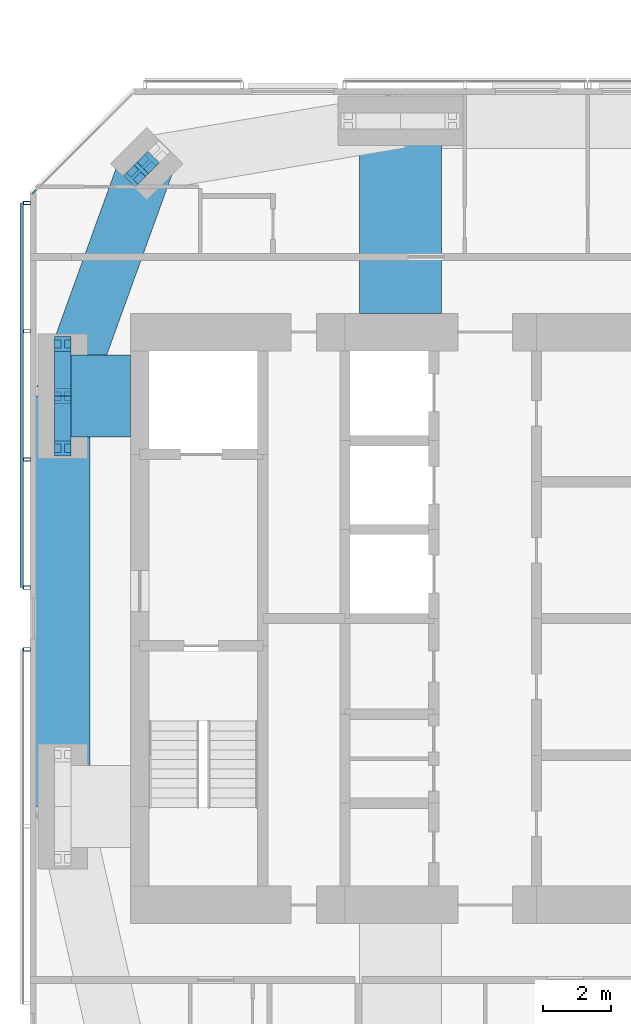
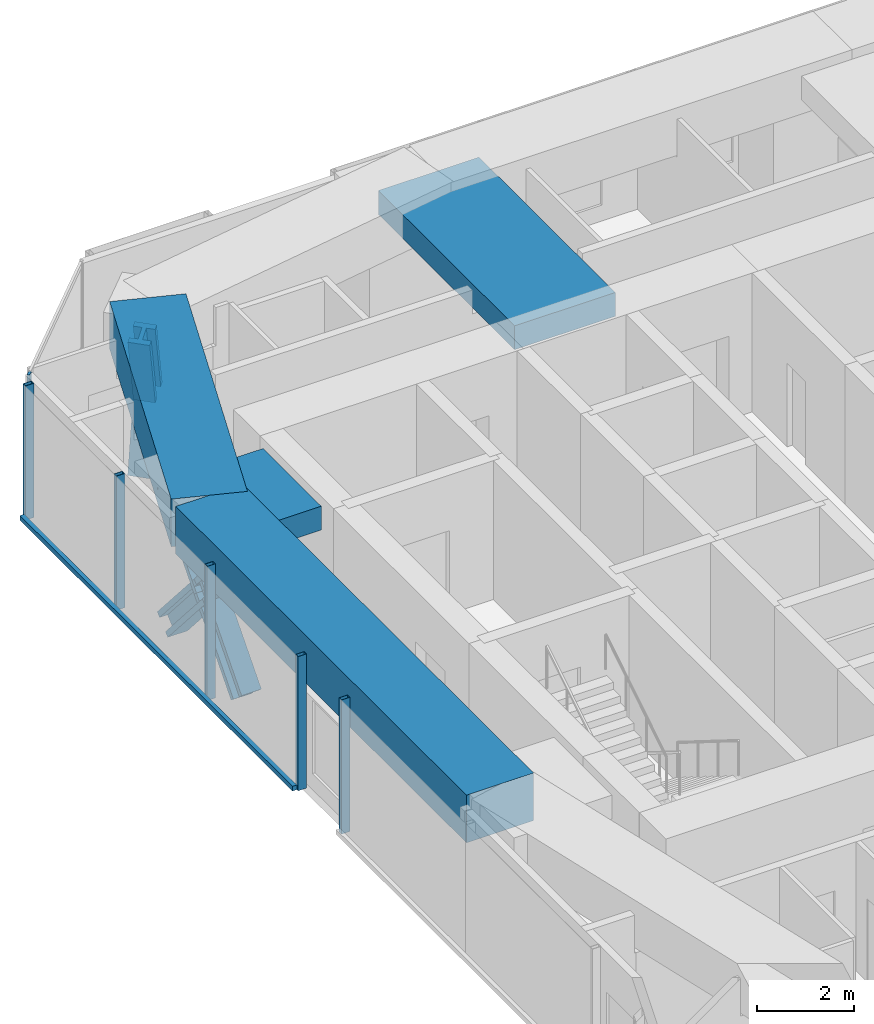
# One storey, part 6 of 19: 13 members, 4 beams, 3 elements without a shape of their own.
"""IFC4 building model written with IfcOpenShell, lengths in metres."""

from ifc_helpers import new_model, si_unit, direction, frame, origin, origin_2d, place, context, subcontext, project, spatial, rectangle, hollow_rectangle, i_section, extrude, material, material_profile, profile_set, type_object, element, aggregate, save


model = new_model("IFC4")

# Units and contexts
model_context = context("Model", 3, precision=1e-05, world=origin(), true_north=direction((0.0, 1.0)))
body_context = subcontext(model_context, "Body", "Model", "MODEL_VIEW")
ifc_project = project(units=[si_unit("LENGTHUNIT", "METRE"), si_unit("AREAUNIT", "SQUARE_METRE"), si_unit("VOLUMEUNIT", "CUBIC_METRE"), si_unit("PLANEANGLEUNIT", "RADIAN"), si_unit("MASSUNIT", "GRAM", prefix="KILO")], contexts=[model_context])

# Site, building, storey
site_placement = place(None, origin())
site = spatial("IfcSite", under=ifc_project, at=site_placement, CompositionType="ELEMENT")
building_placement = place(site_placement, origin())
building = spatial("IfcBuilding", under=site, at=building_placement, Name="Jalousie Tower", CompositionType="ELEMENT")
storey_placement = place(building_placement, frame((0.0, 0.0, 224.949951171875)))
storey = spatial("IfcBuildingStorey", under=building, at=storey_placement, Name="L61", CompositionType="ELEMENT", Elevation=224.949951171875)

# Curtain wall, member
ifc_material_1 = material(Name="Aluminium curtain wall", Category="aluminium")
curtain_wall_type_1 = type_object("IfcCurtainWallType", Name="CORNER WINDOW WALL", PredefinedType="USERDEFINED", material=ifc_material_1)
curtain_wall_1_placement = place(storey_placement, origin())
curtain_wall_1 = element("IfcCurtainWall", 1, at=curtain_wall_1_placement, inside=storey, type_object=curtain_wall_type_1, Name="Corner Window Wall L61 6", ObjectType="CORNER WINDOW WALL", PredefinedType="USERDEFINED")
ifc_material_2 = material(Name="Aluminium mullion", Category="aluminium")
ifc_material_profile_1 = material_profile(ifc_material_2, rectangle(XDim=0.06005859375, YDim=0.14990234375, at=origin_2d()), Name="MULLION 60x150")
ifc_profile_set_1 = profile_set([ifc_material_profile_1], Name="Aluminium mullion")
member_type_1 = type_object("IfcMemberType", Name="CORNER WINDOW WALL MULLION", PredefinedType="MULLION", material=ifc_profile_set_1)
member_1_placement = place(storey_placement, frame((16.90869140625, 30.969970703125, 0.0), z_axis=(0.0, 0.0, 1.0), x_axis=(0.707106781187, -0.707106781187, 0.0)))
member_1 = element("IfcMember", 2, at=member_1_placement, type_object=member_type_1, Name="CW-C mullion 2", PredefinedType="MULLION", context=body_context, shape_type="SweptSolid", body=[
    extrude(rectangle(XDim=0.06005859375, YDim=0.14990234375, at=origin_2d()), origin(), (0.0, 0.0, 1.0), 3.260009765625),
])
aggregate(curtain_wall_1, [member_1])

# Members
ifc_material_3 = material(Name="Steel ASTM A992 Grade 50", Category="steel")
ifc_material_profile_2 = material_profile(ifc_material_3, i_section(OverallWidth=0.472412109375, OverallDepth=0.5791015625, WebThickness=0.094970703125, FlangeThickness=0.1298828125, at=origin_2d()), Name="W14X808")
ifc_profile_set_2 = profile_set([ifc_material_profile_2], Name="Steel ASTM A992 Grade 50")
member_type_2 = type_object("IfcMemberType", Name="PERIMETER BRACE W14X808", PredefinedType="BRACE", material=ifc_profile_set_2)
for number, where, z_axis, x_axis, name in (
    (3, (20.20703125, 31.79296875, 1.150146484375), (-0.176051427143, -0.17618653952, 0.968485517854), (0.707377963048, -0.706835495285, 0.0), "Perimeter brace 12 L61 part 2"),
    (4, (19.888916015625, 31.474609375, -0.599853515625), (0.176051427143, 0.17618653952, 0.968485517854), (-0.707377963048, 0.706835495285, 0.0), "Perimeter brace 12 L61 part 3"),
):
    element("IfcMember", number, at=place(storey_placement, frame(where, z_axis=z_axis, x_axis=x_axis)), inside=storey, type_object=member_type_2, Name=name, PredefinedType="BRACE", context=body_context, shape_type="SweptSolid", body=[
        extrude(i_section(OverallWidth=0.472412109375, OverallDepth=0.5791015625, WebThickness=0.094970703125, FlangeThickness=0.1298828125, at=origin_2d()), origin(), (0.0, 0.0, 1.0), 1.806884765625),
    ])
for number, where, z_axis, x_axis, name in (
    (5, (17.75, 23.47509765625, -0.599853515625), (0.0, 0.65695436777, 0.753930340726), (-1.0, 0.0, 0.0), "Perimeter brace 13 L61 part 1"),
    (6, (17.75, 25.0, 1.150146484375), (0.0, 0.65695436777, 0.753930340726), (-1.0, 0.0, 0.0), "Perimeter brace 13 L61 part 2"),
    (7, (17.75, 26.52490234375, -0.599853515625), (0.0, -0.65695436777, 0.753930340726), (1.0, 0.0, 0.0), "Perimeter brace 13 L61 part 3"),
    (8, (17.75, 25.0, 1.150146484375), (0.0, -0.65695436777, 0.753930340726), (1.0, 0.0, 0.0), "Perimeter brace 13 L61 part 4"),
):
    element("IfcMember", number, at=place(storey_placement, frame(where, z_axis=z_axis, x_axis=x_axis)), inside=storey, type_object=member_type_2, Name=name, PredefinedType="BRACE", context=body_context, shape_type="SweptSolid", body=[
        extrude(i_section(OverallWidth=0.472412109375, OverallDepth=0.5791015625, WebThickness=0.094970703125, FlangeThickness=0.1298828125, at=origin_2d()), origin(), (0.0, 0.0, 1.0), 2.3212890625),
    ])

# Beams
ifc_material_4 = material(Name="Concrete f'c 40 MPa", Category="concrete")
ifc_material_profile_3 = material_profile(ifc_material_4, rectangle(XDim=1.60009765625, YDim=1.199951171875, at=origin_2d()), Name="RC 1600x1200")
ifc_profile_set_3 = profile_set([ifc_material_profile_3], Name="Concrete f'c 40 MPa")
beam_type_1 = type_object("IfcBeamType", Name="RC BEAM 1600x1200", PredefinedType="BEAM", material=ifc_profile_set_3)
beam_1_placement = place(storey_placement, frame((20.20703125, 31.79296875, 2.900146484375), z_axis=(-0.340136081654, -0.940376225751, 0.0), x_axis=(0.940376225751, -0.340136081654, 0.0)))
element("IfcBeam", 9, at=beam_1_placement, inside=storey, type_object=beam_type_1, Name="Edge band beam 12-13 under L62", PredefinedType="BEAM", context=body_context, shape_type="SweptSolid", body=[
    extrude(rectangle(XDim=1.60009765625, YDim=1.199951171875, at=origin_2d()), origin(), (0.0, 0.0, 1.0), 7.2236328125),
])
beam_2_placement = place(storey_placement, frame((17.75, 25.0, 2.900146484375), z_axis=(0.0, -1.0, 0.0), x_axis=(1.0, 0.0, 0.0)))
element("IfcBeam", 10, at=beam_2_placement, inside=storey, type_object=beam_type_1, Name="Edge band beam 13-14 under L62", PredefinedType="BEAM", context=body_context, shape_type="SweptSolid", body=[
    extrude(rectangle(XDim=1.60009765625, YDim=1.199951171875, at=origin_2d()), origin(), (0.0, 0.0, 1.0), 12.0),
])
ifc_material_5 = material(Name="Concrete f'c 40 MPa", Category="concrete")
ifc_material_profile_4 = material_profile(ifc_material_5, rectangle(XDim=2.39990234375, YDim=0.60009765625, at=origin_2d()), Name="RC 2400x600")
ifc_profile_set_4 = profile_set([ifc_material_profile_4], Name="Concrete f'c 40 MPa")
beam_type_2 = type_object("IfcBeamType", Name="RC BEAM 2400x600", PredefinedType="BEAM", material=ifc_profile_set_4)
beam_3_placement = place(storey_placement, frame((17.75, 25.0, 2.9599609375), z_axis=(1.0, 0.0, 0.0), x_axis=(0.0, 1.0, 0.0)))
element("IfcBeam", 11, at=beam_3_placement, inside=storey, type_object=beam_type_2, Name="Floor band beam under L62", PredefinedType="BEAM", context=body_context, shape_type="SweptSolid", body=[
    extrude(rectangle(XDim=2.39990234375, YDim=0.60009765625, at=origin_2d()), origin(), (0.0, 0.0, 1.0), 1.97509765625),
])
beam_4_placement = place(storey_placement, frame((27.625, 33.050048828125, 2.9599609375), z_axis=(0.0, -1.0, 0.0), x_axis=(1.0, 0.0, 0.0)))
element("IfcBeam", 12, at=beam_4_placement, inside=storey, type_object=beam_type_2, Name="Floor band beam under L62", PredefinedType="BEAM", context=body_context, shape_type="SweptSolid", body=[
    extrude(rectangle(XDim=2.39990234375, YDim=0.60009765625, at=origin_2d()), origin(), (0.0, 0.0, 1.0), 5.625),
])

# Curtain wall, members
ifc_material_6 = material(Name="Perforated aluminium sheet", Category="aluminium")
curtain_wall_type_2 = type_object("IfcCurtainWallType", Name="SOLAR SCREEN SS-2", PredefinedType="USERDEFINED", material=ifc_material_6)
curtain_wall_2_placement = place(storey_placement, origin())
curtain_wall_2 = element("IfcCurtainWall", 13, at=curtain_wall_2_placement, inside=storey, type_object=curtain_wall_type_2, Name="Solar screen L61", ObjectType="SOLAR SCREEN SS-2", PredefinedType="USERDEFINED")
ifc_material_7 = material(Name="Steel ASTM A500 Grade C", Category="steel")
ifc_material_profile_5 = material_profile(ifc_material_7, hollow_rectangle(XDim=0.1015625, YDim=0.203125, WallThickness=0.0078125, at=origin_2d()), Name="HSS8X4X5/16")
ifc_profile_set_5 = profile_set([ifc_material_profile_5], Name="Steel ASTM A500 Grade C")
member_type_3 = type_object("IfcMemberType", Name="SOLAR SCREEN SS-2 MULLION", PredefinedType="MULLION", material=ifc_profile_set_5)
member_2_placement = place(storey_placement, frame((16.703369140625, 30.648681640625, -0.119873046875), z_axis=(0.0, 0.0, 1.0), x_axis=(0.0, -1.0, 0.0)))
member_2 = element("IfcMember", 14, at=member_2_placement, type_object=member_type_3, Name="SS2 post 1", PredefinedType="MULLION", context=body_context, shape_type="SweptSolid", body=[
    extrude(hollow_rectangle(XDim=0.1015625, YDim=0.203125, WallThickness=0.0078125, at=origin_2d()), origin(), (0.0, 0.0, 1.0), 3.3798828125),
])
member_3_placement = place(storey_placement, frame((16.703369140625, 26.899169921875, -0.119873046875), z_axis=(0.0, 0.0, 1.0), x_axis=(0.0, -1.0, 0.0)))
member_3 = element("IfcMember", 15, at=member_3_placement, type_object=member_type_3, Name="SS2 post 2", PredefinedType="MULLION", context=body_context, shape_type="SweptSolid", body=[
    extrude(hollow_rectangle(XDim=0.1015625, YDim=0.203125, WallThickness=0.0078125, at=origin_2d()), origin(), (0.0, 0.0, 1.0), 3.3798828125),
])
member_4_placement = place(storey_placement, frame((16.703369140625, 23.149658203125, -0.119873046875), z_axis=(0.0, 0.0, 1.0), x_axis=(0.0, -1.0, 0.0)))
member_4 = element("IfcMember", 16, at=member_4_placement, type_object=member_type_3, Name="SS2 post 3", PredefinedType="MULLION", context=body_context, shape_type="SweptSolid", body=[
    extrude(hollow_rectangle(XDim=0.1015625, YDim=0.203125, WallThickness=0.0078125, at=origin_2d()), origin(), (0.0, 0.0, 1.0), 3.3798828125),
])
member_5_placement = place(storey_placement, frame((16.703369140625, 19.39990234375, -0.119873046875), z_axis=(0.0, 0.0, 1.0), x_axis=(0.0, -1.0, 0.0)))
member_5 = element("IfcMember", 17, at=member_5_placement, type_object=member_type_3, Name="SS2 post 4", PredefinedType="MULLION", context=body_context, shape_type="SweptSolid", body=[
    extrude(hollow_rectangle(XDim=0.1015625, YDim=0.203125, WallThickness=0.0078125, at=origin_2d()), origin(), (0.0, 0.0, 1.0), 3.3798828125),
])

# Curtain wall, member
curtain_wall_3_placement = place(storey_placement, origin())
curtain_wall_3 = element("IfcCurtainWall", 18, at=curtain_wall_3_placement, inside=storey, type_object=curtain_wall_type_2, Name="Solar screen L61", ObjectType="SOLAR SCREEN SS-2", PredefinedType="USERDEFINED")
member_6_placement = place(storey_placement, frame((16.703369140625, 17.60009765625, -0.119873046875), z_axis=(0.0, 0.0, 1.0), x_axis=(0.0, -1.0, 0.0)))
member_6 = element("IfcMember", 19, at=member_6_placement, type_object=member_type_3, Name="SS2 post 1", PredefinedType="MULLION", context=body_context, shape_type="SweptSolid", body=[
    extrude(hollow_rectangle(XDim=0.1015625, YDim=0.203125, WallThickness=0.0078125, at=origin_2d()), origin(), (0.0, 0.0, 1.0), 3.3798828125),
])
aggregate(curtain_wall_3, [member_6])

# Member
ifc_material_8 = material(Name="Extruded aluminium screen rail", Category="aluminium")
ifc_material_profile_6 = material_profile(ifc_material_8, rectangle(XDim=0.1015625, YDim=0.1201171875, at=origin_2d()), Name="RAIL 102x120")
ifc_profile_set_6 = profile_set([ifc_material_profile_6], Name="Extruded aluminium screen rail")
member_type_4 = type_object("IfcMemberType", Name="SOLAR SCREEN SS-2 TRANSOM", PredefinedType="USERDEFINED", material=ifc_profile_set_6)
member_7_placement = place(storey_placement, frame((16.551025390625, 30.648681640625, -0.06005859375), z_axis=(0.0, -1.0, 0.0), x_axis=(1.0, 0.0, 0.0)))
member_7 = element("IfcMember", 20, at=member_7_placement, type_object=member_type_4, Name="SS2 rail", ObjectType="TRANSOM", PredefinedType="USERDEFINED", context=body_context, shape_type="SweptSolid", body=[
    extrude(rectangle(XDim=0.1015625, YDim=0.1201171875, at=origin_2d()), origin(), (0.0, 0.0, 1.0), 11.248779296875),
])

aggregate(curtain_wall_2, [member_2, member_3, member_4, member_5, member_7])

save(model, "model.ifc")
